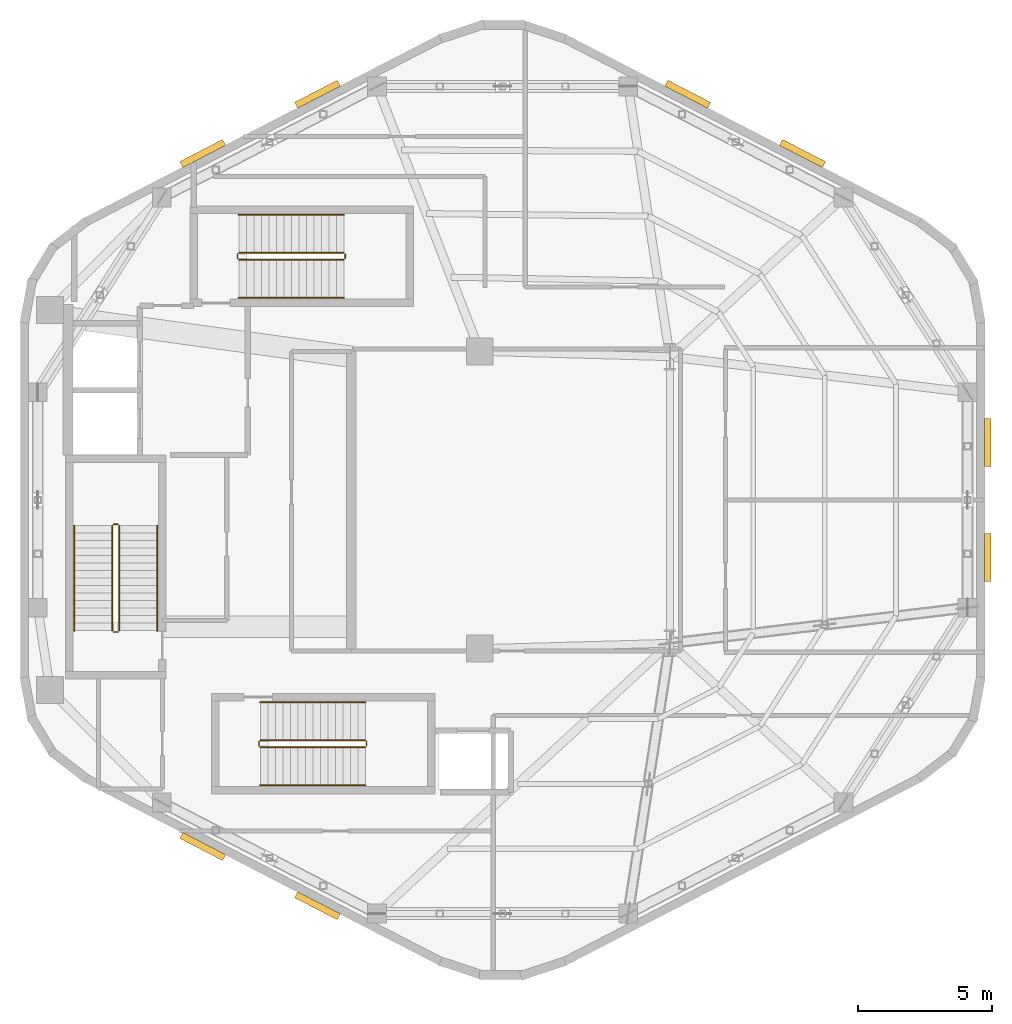
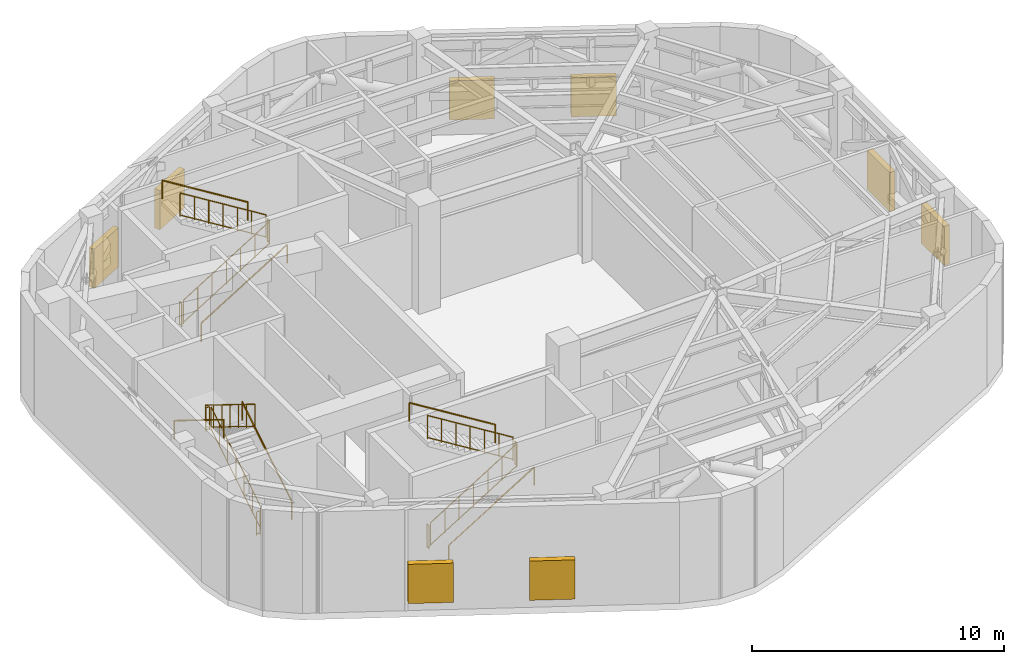
# One storey, part 8 of 8: 18 railings, 8 shading devices.
"""IFC4 building model written with IfcOpenShell, lengths in metres."""

import ifcopenshell
import ifcopenshell.guid

model = None  # the IFC model being written
_history = None  # IfcOwnerHistory: only IFC2X3 demands one
_inside = {}  # id of a spatial element -> (the spatial element, [elements in it])
_under = {}  # id of a project, library or spatial element -> (it, [spatial elements below it])
_declared = {}  # id of a project -> (the project, [libraries it declares])
_typed = {}  # id of a type object -> (the type object, [elements of that type])
_made_of = {}  # id of a material, layer set ... -> (it, [elements and type objects made of it])


def new_model(schema):
    """Start an empty IFC model of exactly this schema.

    Asked for "IFC4X3", IfcOpenShell would pick the latest addendum, in which some entities
    have other attributes; the version numbers below select the first issue.
    IFC2X3 requires an IfcOwnerHistory on every rooted entity: one is made here for all.
    """
    global model, _history
    if schema == "IFC4X3":
        model = ifcopenshell.file(schema_version=(4, 3, 0, 0))
    else:
        model = ifcopenshell.file(schema=schema)
    _inside.clear()
    _under.clear()
    _declared.clear()
    _typed.clear()
    _made_of.clear()
    _history = None
    if model.schema == "IFC2X3":
        org = make("IfcOrganization", Name="unknown")
        user = make(
            "IfcPersonAndOrganization",
            ThePerson=make("IfcPerson", FamilyName="unknown"),
            TheOrganization=org,
        )
        app = make(
            "IfcApplication",
            ApplicationDeveloper=org,
            Version="unknown",
            ApplicationFullName="unknown",
            ApplicationIdentifier="unknown",
        )
        _history = make(
            "IfcOwnerHistory",
            OwningUser=user,
            OwningApplication=app,
            ChangeAction="ADDED",
            CreationDate=0,
        )
    return model


def make(cls, **values):
    """One entity of the class cls with the attributes given. An attribute that is None is left unset."""
    return model.create_entity(
        cls, **{name: value for name, value in values.items() if value is not None}
    )


def rooted(cls, **values):
    """An entity with a GlobalId (a new one), such as an element, a storey or a relation."""
    return make(cls, GlobalId=ifcopenshell.guid.new(), OwnerHistory=_history, **values)


def si_unit(unit_type, name, prefix=None):
    """IfcSIUnit, for example si_unit("LENGTHUNIT", "METRE", prefix="MILLI")."""
    return make("IfcSIUnit", UnitType=unit_type, Prefix=prefix, Name=name)


def assignment(units):
    """IfcUnitAssignment: the units of a project."""
    return None if units is None else make("IfcUnitAssignment", Units=units)


def point(xyz):
    """IfcCartesianPoint."""
    return None if xyz is None else make("IfcCartesianPoint", Coordinates=xyz)


def direction(xyz):
    """IfcDirection."""
    return None if xyz is None else make("IfcDirection", DirectionRatios=xyz)


def frame(location, z_axis=None, x_axis=None):
    """IfcAxis2Placement3D, a coordinate frame: its origin and axes. An axis left out is left unset."""
    return make(
        "IfcAxis2Placement3D",
        Location=point(location),
        Axis=direction(z_axis),
        RefDirection=direction(x_axis),
    )


def frame_2d(location, x_axis=None):
    """IfcAxis2Placement2D, a coordinate frame in the plane: its origin and x axis."""
    return make(
        "IfcAxis2Placement2D", Location=point(location), RefDirection=direction(x_axis)
    )


def origin():
    """The frame at (0, 0, 0) with its axes left unset."""
    return frame((0.0, 0.0, 0.0))


def origin_2d():
    """The frame at (0, 0) in the plane with its x axis left unset."""
    return frame_2d((0.0, 0.0))


def place(relative_to, where):
    """IfcLocalPlacement: puts the frame where relative to a parent placement (None: the world)."""
    return make(
        "IfcLocalPlacement", PlacementRelTo=relative_to, RelativePlacement=where
    )


def context(
    kind, dimensions, precision=None, world=None, true_north=None, identifier=None
):
    """IfcGeometricRepresentationContext, for example the 3D "Model" context."""
    return make(
        "IfcGeometricRepresentationContext",
        ContextIdentifier=identifier,
        ContextType=kind,
        CoordinateSpaceDimension=dimensions,
        Precision=precision,
        WorldCoordinateSystem=world,
        TrueNorth=true_north,
    )


def subcontext(parent, identifier, kind, view, scale=None):
    """IfcGeometricRepresentationSubContext, for example "Body" below "Model"."""
    return make(
        "IfcGeometricRepresentationSubContext",
        ContextIdentifier=identifier,
        ContextType=kind,
        ParentContext=parent,
        TargetScale=scale,
        TargetView=view,
    )


def project(units=None, contexts=None):
    """IfcProject with its units and contexts."""
    return rooted(
        "IfcProject",
        Name="project",
        RepresentationContexts=contexts,
        UnitsInContext=assignment(units),
    )


def spatial(cls, under=None, at=None, **own):
    """A site, building, storey or space (cls), placed at a placement, below another one or the project."""
    s = rooted(cls, ObjectPlacement=at, **own)
    if under is not None:
        _under.setdefault(under.id(), (under, []))[1].append(s)
    return s


def profile(cls, at=None, kind="AREA", **sizes):
    """A parametric profile (cls). Its sizes go by their IFC names, for example OverallWidth=200.0."""
    return make(cls, ProfileType=kind, Position=at, **sizes)


def rectangle(**sizes):
    """IfcRectangleProfileDef."""
    return profile("IfcRectangleProfileDef", **sizes)


def circle(**sizes):
    """IfcCircleProfileDef."""
    return profile("IfcCircleProfileDef", **sizes)


def extrude(swept, where, along, depth):
    """IfcExtrudedAreaSolid: the profile swept, set in the frame where, extruded along a direction by depth."""
    return make(
        "IfcExtrudedAreaSolid",
        SweptArea=swept,
        Position=where,
        ExtrudedDirection=direction(along),
        Depth=depth,
    )


def shape(context_of_items, identifier, shape_type, items):
    """IfcShapeRepresentation: the items that make up one representation, for example the "Body"."""
    return make(
        "IfcShapeRepresentation",
        ContextOfItems=context_of_items,
        RepresentationIdentifier=identifier,
        RepresentationType=shape_type,
        Items=items,
    )


def material(Name=None, Category=None):
    """IfcMaterial."""
    return make("IfcMaterial", Name=Name, Category=Category)


def made_of(thing, what):
    """Note that an element or type object is made of a material, layer set ...; save() writes the relation."""
    if what is not None:
        _made_of.setdefault(what.id(), (what, []))[1].append(thing)
    return thing


def type_object(cls, material=None, **own):
    """A type object (cls), such as IfcWallType, which elements share."""
    return made_of(rooted(cls, **own), material)


def element(
    cls,
    number,
    at=None,
    inside=None,
    cuts=None,
    type_object=None,
    material=None,
    context=None,
    identifier="Body",
    shape_type=None,
    held_by="IfcProductDefinitionShape",
    body=None,
    shapes=None,
    **own,
):
    """One element of the class cls, such as IfcWall. Its Tag is "e" and its number.

    at: its placement. inside: the storey or other place that contains it. cuts: it is an
    opening in that element (IfcRelVoidsElement). A single representation is given by context,
    identifier, shape_type and body (its items); several are given by shapes. held_by: the class
    of the entity that holds the representations. save() writes the other relations.
    """
    e = rooted(cls, Tag="e%d" % number, ObjectPlacement=at, **own)
    if body is not None:
        shapes = [shape(context, identifier, shape_type, body)]
    if shapes is not None:
        e.Representation = make(held_by, Representations=shapes)
    if inside is not None:
        _inside.setdefault(inside.id(), (inside, []))[1].append(e)
    if cuts is not None:
        rooted(
            "IfcRelVoidsElement", RelatingBuildingElement=cuts, RelatedOpeningElement=e
        )
    if type_object is not None:
        _typed.setdefault(type_object.id(), (type_object, []))[1].append(e)
    return made_of(e, material)


def aggregate(whole, parts):
    """IfcRelAggregates: a whole, such as a stair, and the parts it consists of."""
    return rooted("IfcRelAggregates", RelatingObject=whole, RelatedObjects=parts)


def save(model, path):
    """Write the relations noted so far, then the file.

    IfcRelAggregates (storeys below a building ...), IfcRelContainedInSpatialStructure (elements
    in a storey), IfcRelDefinesByType, IfcRelAssociatesMaterial and IfcRelDeclares: one each for
    every whole, place, type object, material and project.
    """
    for whole, parts in _under.values():
        aggregate(whole, parts)
    for where, things in _inside.values():
        rooted(
            "IfcRelContainedInSpatialStructure",
            RelatedElements=things,
            RelatingStructure=where,
        )
    for kind, things in _typed.values():
        rooted("IfcRelDefinesByType", RelatedObjects=things, RelatingType=kind)
    for what, things in _made_of.values():
        rooted("IfcRelAssociatesMaterial", RelatedObjects=things, RelatingMaterial=what)
    for by, libraries in _declared.values():
        rooted("IfcRelDeclares", RelatingContext=by, RelatedDefinitions=libraries)
    model.write(path)


model = new_model("IFC4")

# Units and contexts
model_context = context("Model", 3, precision=1e-05, world=origin(), true_north=direction((0.0, 1.0)))
body_context = subcontext(model_context, "Body", "Model", "MODEL_VIEW")
ifc_project = project(units=[si_unit("LENGTHUNIT", "METRE"), si_unit("AREAUNIT", "SQUARE_METRE"), si_unit("VOLUMEUNIT", "CUBIC_METRE"), si_unit("PLANEANGLEUNIT", "RADIAN"), si_unit("MASSUNIT", "GRAM", prefix="KILO"), si_unit("THERMODYNAMICTEMPERATUREUNIT", "KELVIN"), si_unit("POWERUNIT", "WATT")], contexts=[model_context])

# Site, building, storey
site_placement = place(None, origin())
site = spatial("IfcSite", under=ifc_project, at=site_placement, CompositionType="ELEMENT")
building_placement = place(site_placement, origin())
building = spatial("IfcBuilding", under=site, at=building_placement, Name="Skarre Station Tower", CompositionType="ELEMENT")
storey_placement = place(building_placement, frame((0.0, 0.0, 279.89990234375)))
storey = spatial("IfcBuildingStorey", under=building, at=storey_placement, Name="L76", CompositionType="ELEMENT", Elevation=279.89990234375)

# Railings
ifc_material_1 = material(Name="Powder-Coated Tubular Steel", Category="steel")
railing_type_1 = type_object("IfcRailingType", Name="Painted Steel Ramp & Stair Handrail 920", PredefinedType="HANDRAIL", material=ifc_material_1)
railing_1_placement = place(storey_placement, frame((20.300048828125, 19.1201171875, 0.17333984375)))
element("IfcRailing", 1, at=railing_1_placement, inside=storey, type_object=railing_type_1, Name="L76 ST-1 stair handrail 1", PredefinedType="HANDRAIL", context=body_context, shape_type="SweptSolid", body=[
    extrude(circle(Radius=0.02392578125, at=origin_2d()), frame((0.0, 0.0, 0.8759765625), z_axis=(0.0, 0.850251603719, 0.526376491091), x_axis=(-1.0, 0.0, 0.0)), (0.0, 0.0, 1.0), 4.6103515625),
    extrude(circle(Radius=0.02099609375, at=origin_2d()), origin(), (0.0, 0.0, 1.0), 0.851806640625),
    extrude(circle(Radius=0.02099609375, at=origin_2d()), frame((0.0, 3.919921875, 2.4267578125)), (0.0, 0.0, 1.0), 0.851806640625),
])
railing_2_placement = place(storey_placement, frame((17.199951171875, 23.0400390625, 2.7734375)))
element("IfcRailing", 2, at=railing_2_placement, inside=storey, type_object=railing_type_1, Name="L76 ST-1 stair handrail 2", PredefinedType="HANDRAIL", context=body_context, shape_type="SweptSolid", body=[
    extrude(circle(Radius=0.02392578125, at=origin_2d()), frame((0.0, 0.0, 0.8759765625), z_axis=(0.0, -0.850251603719, 0.526376491091), x_axis=(1.0, 0.0, 0.0)), (0.0, 0.0, 1.0), 4.6103515625),
    extrude(circle(Radius=0.02099609375, at=origin_2d()), origin(), (0.0, 0.0, 1.0), 0.851806640625),
    extrude(circle(Radius=0.02099609375, at=origin_2d()), frame((0.0, -3.919921875, 2.4267578125)), (0.0, 0.0, 1.0), 0.851806640625),
])
railing_3_placement = place(storey_placement, frame((24.14990234375, 13.35009765625, 0.17333984375)))
element("IfcRailing", 3, at=railing_3_placement, inside=storey, type_object=railing_type_1, Name="L76 ST-2 stair handrail 1", PredefinedType="HANDRAIL", context=body_context, shape_type="SweptSolid", body=[
    extrude(circle(Radius=0.02392578125, at=origin_2d()), frame((0.0, 0.0, 0.8759765625), z_axis=(0.850266275192, 0.0, 0.526352791643), x_axis=(0.0, 1.0, 0.0)), (0.0, 0.0, 1.0), 4.610595703125),
    extrude(circle(Radius=0.02099609375, at=origin_2d()), origin(), (0.0, 0.0, 1.0), 0.851806640625),
    extrude(circle(Radius=0.02099609375, at=origin_2d()), frame((3.920166015625, 0.0, 2.4267578125)), (0.0, 0.0, 1.0), 0.851806640625),
])
railing_4_placement = place(storey_placement, frame((28.070068359375, 16.449951171875, 2.7734375)))
element("IfcRailing", 4, at=railing_4_placement, inside=storey, type_object=railing_type_1, Name="L76 ST-2 stair handrail 2", PredefinedType="HANDRAIL", context=body_context, shape_type="SweptSolid", body=[
    extrude(circle(Radius=0.02392578125, at=origin_2d()), frame((0.0, 0.0, 0.8759765625), z_axis=(-0.850266275192, 0.0, 0.526352791643), x_axis=(0.0, -1.0, 0.0)), (0.0, 0.0, 1.0), 4.610595703125),
    extrude(circle(Radius=0.02099609375, at=origin_2d()), origin(), (0.0, 0.0, 1.0), 0.851806640625),
    extrude(circle(Radius=0.02099609375, at=origin_2d()), frame((-3.920166015625, 0.0, 2.4267578125)), (0.0, 0.0, 1.0), 0.851806640625),
])
railing_5_placement = place(storey_placement, frame((23.35009765625, 31.550048828125, 0.17333984375)))
element("IfcRailing", 5, at=railing_5_placement, inside=storey, type_object=railing_type_1, Name="L76 ST-3 stair handrail 1", PredefinedType="HANDRAIL", context=body_context, shape_type="SweptSolid", body=[
    extrude(circle(Radius=0.02392578125, at=origin_2d()), frame((0.0, 0.0, 0.8759765625), z_axis=(0.850251603719, 0.0, 0.526376491091), x_axis=(0.0, 1.0, 0.0)), (0.0, 0.0, 1.0), 4.6103515625),
    extrude(circle(Radius=0.02099609375, at=origin_2d()), origin(), (0.0, 0.0, 1.0), 0.851806640625),
    extrude(circle(Radius=0.02099609375, at=origin_2d()), frame((3.919921875, 0.0, 2.4267578125)), (0.0, 0.0, 1.0), 0.851806640625),
])
railing_6_placement = place(storey_placement, frame((27.27001953125, 34.64990234375, 2.7734375)))
element("IfcRailing", 6, at=railing_6_placement, inside=storey, type_object=railing_type_1, Name="L76 ST-3 stair handrail 2", PredefinedType="HANDRAIL", context=body_context, shape_type="SweptSolid", body=[
    extrude(circle(Radius=0.02392578125, at=origin_2d()), frame((0.0, 0.0, 0.8759765625), z_axis=(-0.850251603719, 0.0, 0.526376491091), x_axis=(0.0, -1.0, 0.0)), (0.0, 0.0, 1.0), 4.6103515625),
    extrude(circle(Radius=0.02099609375, at=origin_2d()), origin(), (0.0, 0.0, 1.0), 0.851806640625),
    extrude(circle(Radius=0.02099609375, at=origin_2d()), frame((-3.919921875, 0.0, 2.4267578125)), (0.0, 0.0, 1.0), 0.851806640625),
])
railing_type_2 = type_object("IfcRailingType", Name="Painted Steel Stairwell Guardrail 1100", PredefinedType="GUARDRAIL", material=ifc_material_1)
railing_7_placement = place(storey_placement, frame((18.8798828125, 19.1201171875, 0.17333984375)))
element("IfcRailing", 7, at=railing_7_placement, inside=storey, type_object=railing_type_2, Name="L76 ST-1 stair guard 1", PredefinedType="GUARDRAIL", context=body_context, shape_type="SweptSolid", body=[
    extrude(circle(Radius=0.02392578125, at=origin_2d()), frame((0.0, 0.0, 1.1259765625), z_axis=(0.0, 0.850251603719, 0.526376491091), x_axis=(-1.0, 0.0, 0.0)), (0.0, 0.0, 1.0), 4.6103515625),
    extrude(circle(Radius=0.02099609375, at=origin_2d()), frame((0.0, 0.0, 0.06005859375), z_axis=(0.0, 0.850251603719, 0.526376491091), x_axis=(-1.0, 0.0, 0.0)), (0.0, 0.0, 1.0), 4.6103515625),
    extrude(circle(Radius=0.02099609375, at=origin_2d()), origin(), (0.0, 0.0, 1.0), 1.101806640625),
    extrude(circle(Radius=0.02099609375, at=origin_2d()), frame((0.0, 0.6533203125, 0.404541015625)), (0.0, 0.0, 1.0), 1.101806640625),
    extrude(circle(Radius=0.02099609375, at=origin_2d()), frame((0.0, 1.306640625, 0.808837890625)), (0.0, 0.0, 1.0), 1.101806640625),
    extrude(circle(Radius=0.02099609375, at=origin_2d()), frame((0.0, 1.9599609375, 1.21337890625)), (0.0, 0.0, 1.0), 1.101806640625),
    extrude(circle(Radius=0.02099609375, at=origin_2d()), frame((0.0, 2.61328125, 1.617919921875)), (0.0, 0.0, 1.0), 1.101806640625),
    extrude(circle(Radius=0.02099609375, at=origin_2d()), frame((0.0, 3.2666015625, 2.022216796875)), (0.0, 0.0, 1.0), 1.101806640625),
    extrude(circle(Radius=0.02099609375, at=origin_2d()), frame((0.0, 3.919921875, 2.4267578125)), (0.0, 0.0, 1.0), 1.101806640625),
])
railing_8_placement = place(storey_placement, frame((18.830078125, 23.090087890625, 2.60009765625)))
element("IfcRailing", 8, at=railing_8_placement, inside=storey, type_object=railing_type_2, Name="L76 ST-1 stair guard 2", PredefinedType="GUARDRAIL", context=body_context, shape_type="SweptSolid", body=[
    extrude(circle(Radius=0.02392578125, at=origin_2d()), frame((0.0, 0.0, 1.1259765625), z_axis=(-1.0, 0.0, 0.0), x_axis=(0.0, -1.0, 0.0)), (0.0, 0.0, 1.0), 0.16015625),
    extrude(circle(Radius=0.02099609375, at=origin_2d()), frame((0.0, 0.0, 0.06005859375), z_axis=(-1.0, 0.0, 0.0), x_axis=(0.0, -1.0, 0.0)), (0.0, 0.0, 1.0), 0.16015625),
    extrude(circle(Radius=0.02099609375, at=origin_2d()), origin(), (0.0, 0.0, 1.0), 1.101806640625),
    extrude(circle(Radius=0.02099609375, at=origin_2d()), frame((-0.16015625, 0.0, 0.0)), (0.0, 0.0, 1.0), 1.101806640625),
])
railing_9_placement = place(storey_placement, frame((18.6201171875, 23.0400390625, 2.7734375)))
element("IfcRailing", 9, at=railing_9_placement, inside=storey, type_object=railing_type_2, Name="L76 ST-1 stair guard 3", PredefinedType="GUARDRAIL", context=body_context, shape_type="SweptSolid", body=[
    extrude(circle(Radius=0.02392578125, at=origin_2d()), frame((0.0, 0.0, 1.1259765625), z_axis=(0.0, -0.850251603719, 0.526376491091), x_axis=(1.0, 0.0, 0.0)), (0.0, 0.0, 1.0), 4.6103515625),
    extrude(circle(Radius=0.02099609375, at=origin_2d()), frame((0.0, 0.0, 0.06005859375), z_axis=(0.0, -0.850251603719, 0.526376491091), x_axis=(1.0, 0.0, 0.0)), (0.0, 0.0, 1.0), 4.6103515625),
    extrude(circle(Radius=0.02099609375, at=origin_2d()), origin(), (0.0, 0.0, 1.0), 1.101806640625),
    extrude(circle(Radius=0.02099609375, at=origin_2d()), frame((0.0, -0.6533203125, 0.404541015625)), (0.0, 0.0, 1.0), 1.101806640625),
    extrude(circle(Radius=0.02099609375, at=origin_2d()), frame((0.0, -1.306640625, 0.808837890625)), (0.0, 0.0, 1.0), 1.101806640625),
    extrude(circle(Radius=0.02099609375, at=origin_2d()), frame((0.0, -1.9599609375, 1.21337890625)), (0.0, 0.0, 1.0), 1.101806640625),
    extrude(circle(Radius=0.02099609375, at=origin_2d()), frame((0.0, -2.61328125, 1.617919921875)), (0.0, 0.0, 1.0), 1.101806640625),
    extrude(circle(Radius=0.02099609375, at=origin_2d()), frame((0.0, -3.2666015625, 2.022216796875)), (0.0, 0.0, 1.0), 1.101806640625),
    extrude(circle(Radius=0.02099609375, at=origin_2d()), frame((0.0, -3.919921875, 2.4267578125)), (0.0, 0.0, 1.0), 1.101806640625),
])
railing_10_placement = place(storey_placement, frame((18.830078125, 19.070068359375, 0.0)))
element("IfcRailing", 10, at=railing_10_placement, inside=storey, type_object=railing_type_2, Name="L76 ST-1 stair guard 4", PredefinedType="GUARDRAIL", context=body_context, shape_type="SweptSolid", body=[
    extrude(circle(Radius=0.02392578125, at=origin_2d()), frame((0.0, 0.0, 1.1259765625), z_axis=(-1.0, 0.0, 0.0), x_axis=(0.0, -1.0, 0.0)), (0.0, 0.0, 1.0), 0.16015625),
    extrude(circle(Radius=0.02099609375, at=origin_2d()), frame((0.0, 0.0, 0.06005859375), z_axis=(-1.0, 0.0, 0.0), x_axis=(0.0, -1.0, 0.0)), (0.0, 0.0, 1.0), 0.16015625),
    extrude(circle(Radius=0.02099609375, at=origin_2d()), origin(), (0.0, 0.0, 1.0), 1.101806640625),
    extrude(circle(Radius=0.02099609375, at=origin_2d()), frame((-0.16015625, 0.0, 0.0)), (0.0, 0.0, 1.0), 1.101806640625),
])
railing_11_placement = place(storey_placement, frame((24.14990234375, 14.77001953125, 0.17333984375)))
element("IfcRailing", 11, at=railing_11_placement, inside=storey, type_object=railing_type_2, Name="L76 ST-2 stair guard 1", PredefinedType="GUARDRAIL", context=body_context, shape_type="SweptSolid", body=[
    extrude(circle(Radius=0.02392578125, at=origin_2d()), frame((0.0, 0.0, 1.1259765625), z_axis=(0.850266275192, 0.0, 0.526352791643), x_axis=(0.0, 1.0, 0.0)), (0.0, 0.0, 1.0), 4.610595703125),
    extrude(circle(Radius=0.02099609375, at=origin_2d()), frame((0.0, 0.0, 0.06005859375), z_axis=(0.850266275192, 0.0, 0.526352791643), x_axis=(0.0, 1.0, 0.0)), (0.0, 0.0, 1.0), 4.610595703125),
    extrude(circle(Radius=0.02099609375, at=origin_2d()), origin(), (0.0, 0.0, 1.0), 1.101806640625),
    extrude(circle(Radius=0.02099609375, at=origin_2d()), frame((0.6533203125, 0.0, 0.404541015625)), (0.0, 0.0, 1.0), 1.101806640625),
    extrude(circle(Radius=0.02099609375, at=origin_2d()), frame((1.306640625, 0.0, 0.808837890625)), (0.0, 0.0, 1.0), 1.101806640625),
    extrude(circle(Radius=0.02099609375, at=origin_2d()), frame((1.9599609375, 0.0, 1.21337890625)), (0.0, 0.0, 1.0), 1.101806640625),
    extrude(circle(Radius=0.02099609375, at=origin_2d()), frame((2.613525390625, 0.0, 1.617919921875)), (0.0, 0.0, 1.0), 1.101806640625),
    extrude(circle(Radius=0.02099609375, at=origin_2d()), frame((3.266845703125, 0.0, 2.022216796875)), (0.0, 0.0, 1.0), 1.101806640625),
    extrude(circle(Radius=0.02099609375, at=origin_2d()), frame((3.920166015625, 0.0, 2.4267578125)), (0.0, 0.0, 1.0), 1.101806640625),
])
railing_12_placement = place(storey_placement, frame((28.1201171875, 14.820068359375, 2.60009765625)))
element("IfcRailing", 12, at=railing_12_placement, inside=storey, type_object=railing_type_2, Name="L76 ST-2 stair guard 2", PredefinedType="GUARDRAIL", context=body_context, shape_type="SweptSolid", body=[
    extrude(circle(Radius=0.02392578125, at=origin_2d()), frame((0.0, 0.0, 1.1259765625), z_axis=(0.0, 1.0, 0.0), x_axis=(-1.0, 0.0, 0.0)), (0.0, 0.0, 1.0), 0.159912109375),
    extrude(circle(Radius=0.02099609375, at=origin_2d()), frame((0.0, 0.0, 0.06005859375), z_axis=(0.0, 1.0, 0.0), x_axis=(-1.0, 0.0, 0.0)), (0.0, 0.0, 1.0), 0.159912109375),
    extrude(circle(Radius=0.02099609375, at=origin_2d()), origin(), (0.0, 0.0, 1.0), 1.101806640625),
    extrude(circle(Radius=0.02099609375, at=origin_2d()), frame((0.0, 0.159912109375, 0.0)), (0.0, 0.0, 1.0), 1.101806640625),
])
railing_13_placement = place(storey_placement, frame((28.070068359375, 15.030029296875, 2.7734375)))
element("IfcRailing", 13, at=railing_13_placement, inside=storey, type_object=railing_type_2, Name="L76 ST-2 stair guard 3", PredefinedType="GUARDRAIL", context=body_context, shape_type="SweptSolid", body=[
    extrude(circle(Radius=0.02392578125, at=origin_2d()), frame((0.0, 0.0, 1.1259765625), z_axis=(-0.850266275192, 0.0, 0.526352791643), x_axis=(0.0, -1.0, 0.0)), (0.0, 0.0, 1.0), 4.610595703125),
    extrude(circle(Radius=0.02099609375, at=origin_2d()), frame((0.0, 0.0, 0.06005859375), z_axis=(-0.850266275192, 0.0, 0.526352791643), x_axis=(0.0, -1.0, 0.0)), (0.0, 0.0, 1.0), 4.610595703125),
    extrude(circle(Radius=0.02099609375, at=origin_2d()), origin(), (0.0, 0.0, 1.0), 1.101806640625),
    extrude(circle(Radius=0.02099609375, at=origin_2d()), frame((-0.6533203125, 0.0, 0.404541015625)), (0.0, 0.0, 1.0), 1.101806640625),
    extrude(circle(Radius=0.02099609375, at=origin_2d()), frame((-1.306640625, 0.0, 0.808837890625)), (0.0, 0.0, 1.0), 1.101806640625),
    extrude(circle(Radius=0.02099609375, at=origin_2d()), frame((-1.9599609375, 0.0, 1.21337890625)), (0.0, 0.0, 1.0), 1.101806640625),
    extrude(circle(Radius=0.02099609375, at=origin_2d()), frame((-2.613525390625, 0.0, 1.617919921875)), (0.0, 0.0, 1.0), 1.101806640625),
    extrude(circle(Radius=0.02099609375, at=origin_2d()), frame((-3.266845703125, 0.0, 2.022216796875)), (0.0, 0.0, 1.0), 1.101806640625),
    extrude(circle(Radius=0.02099609375, at=origin_2d()), frame((-3.920166015625, 0.0, 2.4267578125)), (0.0, 0.0, 1.0), 1.101806640625),
])
railing_14_placement = place(storey_placement, frame((24.10009765625, 14.820068359375, 0.0)))
element("IfcRailing", 14, at=railing_14_placement, inside=storey, type_object=railing_type_2, Name="L76 ST-2 stair guard 4", PredefinedType="GUARDRAIL", context=body_context, shape_type="SweptSolid", body=[
    extrude(circle(Radius=0.02392578125, at=origin_2d()), frame((0.0, 0.0, 1.1259765625), z_axis=(0.0, 1.0, 0.0), x_axis=(-1.0, 0.0, 0.0)), (0.0, 0.0, 1.0), 0.159912109375),
    extrude(circle(Radius=0.02099609375, at=origin_2d()), frame((0.0, 0.0, 0.06005859375), z_axis=(0.0, 1.0, 0.0), x_axis=(-1.0, 0.0, 0.0)), (0.0, 0.0, 1.0), 0.159912109375),
    extrude(circle(Radius=0.02099609375, at=origin_2d()), origin(), (0.0, 0.0, 1.0), 1.101806640625),
    extrude(circle(Radius=0.02099609375, at=origin_2d()), frame((0.0, 0.159912109375, 0.0)), (0.0, 0.0, 1.0), 1.101806640625),
])
railing_15_placement = place(storey_placement, frame((23.35009765625, 32.969970703125, 0.17333984375)))
element("IfcRailing", 15, at=railing_15_placement, inside=storey, type_object=railing_type_2, Name="L76 ST-3 stair guard 1", PredefinedType="GUARDRAIL", context=body_context, shape_type="SweptSolid", body=[
    extrude(circle(Radius=0.02392578125, at=origin_2d()), frame((0.0, 0.0, 1.1259765625), z_axis=(0.850251603719, 0.0, 0.526376491091), x_axis=(0.0, 1.0, 0.0)), (0.0, 0.0, 1.0), 4.6103515625),
    extrude(circle(Radius=0.02099609375, at=origin_2d()), frame((0.0, 0.0, 0.06005859375), z_axis=(0.850251603719, 0.0, 0.526376491091), x_axis=(0.0, 1.0, 0.0)), (0.0, 0.0, 1.0), 4.6103515625),
    extrude(circle(Radius=0.02099609375, at=origin_2d()), origin(), (0.0, 0.0, 1.0), 1.101806640625),
    extrude(circle(Radius=0.02099609375, at=origin_2d()), frame((0.6533203125, 0.0, 0.404541015625)), (0.0, 0.0, 1.0), 1.101806640625),
    extrude(circle(Radius=0.02099609375, at=origin_2d()), frame((1.306640625, 0.0, 0.808837890625)), (0.0, 0.0, 1.0), 1.101806640625),
    extrude(circle(Radius=0.02099609375, at=origin_2d()), frame((1.9599609375, 0.0, 1.21337890625)), (0.0, 0.0, 1.0), 1.101806640625),
    extrude(circle(Radius=0.02099609375, at=origin_2d()), frame((2.61328125, 0.0, 1.617919921875)), (0.0, 0.0, 1.0), 1.101806640625),
    extrude(circle(Radius=0.02099609375, at=origin_2d()), frame((3.2666015625, 0.0, 2.022216796875)), (0.0, 0.0, 1.0), 1.101806640625),
    extrude(circle(Radius=0.02099609375, at=origin_2d()), frame((3.919921875, 0.0, 2.4267578125)), (0.0, 0.0, 1.0), 1.101806640625),
])
railing_16_placement = place(storey_placement, frame((27.320068359375, 33.02001953125, 2.60009765625)))
element("IfcRailing", 16, at=railing_16_placement, inside=storey, type_object=railing_type_2, Name="L76 ST-3 stair guard 2", PredefinedType="GUARDRAIL", context=body_context, shape_type="SweptSolid", body=[
    extrude(circle(Radius=0.02392578125, at=origin_2d()), frame((0.0, 0.0, 1.1259765625), z_axis=(0.0, 1.0, 0.0), x_axis=(-1.0, 0.0, 0.0)), (0.0, 0.0, 1.0), 0.159912109375),
    extrude(circle(Radius=0.02099609375, at=origin_2d()), frame((0.0, 0.0, 0.06005859375), z_axis=(0.0, 1.0, 0.0), x_axis=(-1.0, 0.0, 0.0)), (0.0, 0.0, 1.0), 0.159912109375),
    extrude(circle(Radius=0.02099609375, at=origin_2d()), origin(), (0.0, 0.0, 1.0), 1.101806640625),
    extrude(circle(Radius=0.02099609375, at=origin_2d()), frame((0.0, 0.159912109375, 0.0)), (0.0, 0.0, 1.0), 1.101806640625),
])
railing_17_placement = place(storey_placement, frame((27.27001953125, 33.22998046875, 2.7734375)))
element("IfcRailing", 17, at=railing_17_placement, inside=storey, type_object=railing_type_2, Name="L76 ST-3 stair guard 3", PredefinedType="GUARDRAIL", context=body_context, shape_type="SweptSolid", body=[
    extrude(circle(Radius=0.02392578125, at=origin_2d()), frame((0.0, 0.0, 1.1259765625), z_axis=(-0.850251603719, 0.0, 0.526376491091), x_axis=(0.0, -1.0, 0.0)), (0.0, 0.0, 1.0), 4.6103515625),
    extrude(circle(Radius=0.02099609375, at=origin_2d()), frame((0.0, 0.0, 0.06005859375), z_axis=(-0.850251603719, 0.0, 0.526376491091), x_axis=(0.0, -1.0, 0.0)), (0.0, 0.0, 1.0), 4.6103515625),
    extrude(circle(Radius=0.02099609375, at=origin_2d()), origin(), (0.0, 0.0, 1.0), 1.101806640625),
    extrude(circle(Radius=0.02099609375, at=origin_2d()), frame((-0.6533203125, 0.0, 0.404541015625)), (0.0, 0.0, 1.0), 1.101806640625),
    extrude(circle(Radius=0.02099609375, at=origin_2d()), frame((-1.306640625, 0.0, 0.808837890625)), (0.0, 0.0, 1.0), 1.101806640625),
    extrude(circle(Radius=0.02099609375, at=origin_2d()), frame((-1.9599609375, 0.0, 1.21337890625)), (0.0, 0.0, 1.0), 1.101806640625),
    extrude(circle(Radius=0.02099609375, at=origin_2d()), frame((-2.61328125, 0.0, 1.617919921875)), (0.0, 0.0, 1.0), 1.101806640625),
    extrude(circle(Radius=0.02099609375, at=origin_2d()), frame((-3.2666015625, 0.0, 2.022216796875)), (0.0, 0.0, 1.0), 1.101806640625),
    extrude(circle(Radius=0.02099609375, at=origin_2d()), frame((-3.919921875, 0.0, 2.4267578125)), (0.0, 0.0, 1.0), 1.101806640625),
])
railing_18_placement = place(storey_placement, frame((23.300048828125, 33.02001953125, 0.0)))
element("IfcRailing", 18, at=railing_18_placement, inside=storey, type_object=railing_type_2, Name="L76 ST-3 stair guard 4", PredefinedType="GUARDRAIL", context=body_context, shape_type="SweptSolid", body=[
    extrude(circle(Radius=0.02392578125, at=origin_2d()), frame((0.0, 0.0, 1.1259765625), z_axis=(0.0, 1.0, 0.0), x_axis=(-1.0, 0.0, 0.0)), (0.0, 0.0, 1.0), 0.159912109375),
    extrude(circle(Radius=0.02099609375, at=origin_2d()), frame((0.0, 0.0, 0.06005859375), z_axis=(0.0, 1.0, 0.0), x_axis=(-1.0, 0.0, 0.0)), (0.0, 0.0, 1.0), 0.159912109375),
    extrude(circle(Radius=0.02099609375, at=origin_2d()), origin(), (0.0, 0.0, 1.0), 1.101806640625),
    extrude(circle(Radius=0.02099609375, at=origin_2d()), frame((0.0, 0.159912109375, 0.0)), (0.0, 0.0, 1.0), 1.101806640625),
])

# Shading devices
ifc_material_2 = material(Name="Powder-Coated Aluminium Acoustic Louvre", Category="aluminium")
shading_device_type = type_object("IfcShadingDeviceType", Name="Plant Intake Acoustic Weather Louvre 1800x2200", PredefinedType="JALOUSIE", material=ifc_material_2)
for number, where, z_axis, x_axis, name in (
    (19, (40.114013671875, 39.154052734375, 0.500244140625), (0.0, 0.0, 1.0), (0.458711590553, 0.88858521071, 0.0), "L76 Facet 0 Mechanical Intake Louvre 1"),
    (20, (44.40087890625, 36.94091796875, 0.500244140625), (0.0, 0.0, 1.0), (0.458711590553, 0.88858521071, 0.0), "L76 Facet 0 Mechanical Intake Louvre 2"),
    (21, (21.9990234375, 36.94091796875, 0.500244140625), (0.0, 0.0, 1.0), (-0.458711590553, 0.88858521071, 0.0), "L76 Facet 1 Mechanical Intake Louvre 1"),
    (22, (26.285888671875, 39.154052734375, 0.500244140625), (0.0, 0.0, 1.0), (-0.458711590553, 0.88858521071, 0.0), "L76 Facet 1 Mechanical Intake Louvre 2"),
    (23, (26.285888671875, 8.845947265625, 0.500244140625), (0.0, 0.0, 1.0), (-0.458711590553, -0.88858521071, 0.0), "L76 Facet 3 Mechanical Intake Louvre 1"),
    (24, (21.9990234375, 11.05908203125, 0.500244140625), (0.0, 0.0, 1.0), (-0.458711590553, -0.88858521071, 0.0), "L76 Facet 3 Mechanical Intake Louvre 2"),
    (25, (51.322998046875, 26.14501953125, 0.500244140625), (0.0, 0.0, 1.0), (1.0, 0.0, 0.0), "L76 Facet 5 Mechanical Intake Louvre 1"),
    (26, (51.322998046875, 21.85498046875, 0.500244140625), (0.0, 0.0, 1.0), (1.0, 0.0, 0.0), "L76 Facet 5 Mechanical Intake Louvre 2"),
):
    element("IfcShadingDevice", number, at=place(storey_placement, frame(where, z_axis=z_axis, x_axis=x_axis)), inside=storey, type_object=shading_device_type, Name=name, PredefinedType="JALOUSIE", context=body_context, shape_type="SweptSolid", body=[
        extrude(rectangle(XDim=0.25, YDim=1.800048828125, at=origin_2d()), origin(), (0.0, 0.0, 1.0), 1.89990234375),
    ])

save(model, "model.ifc")
